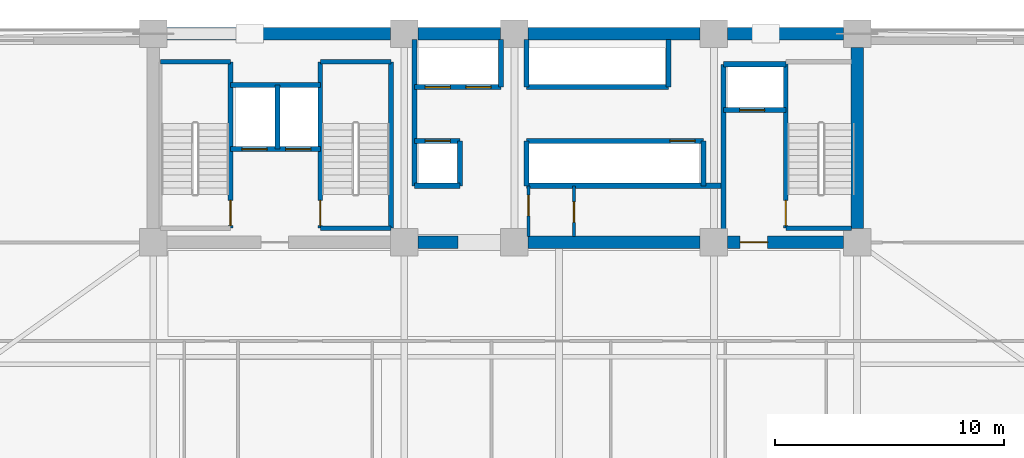
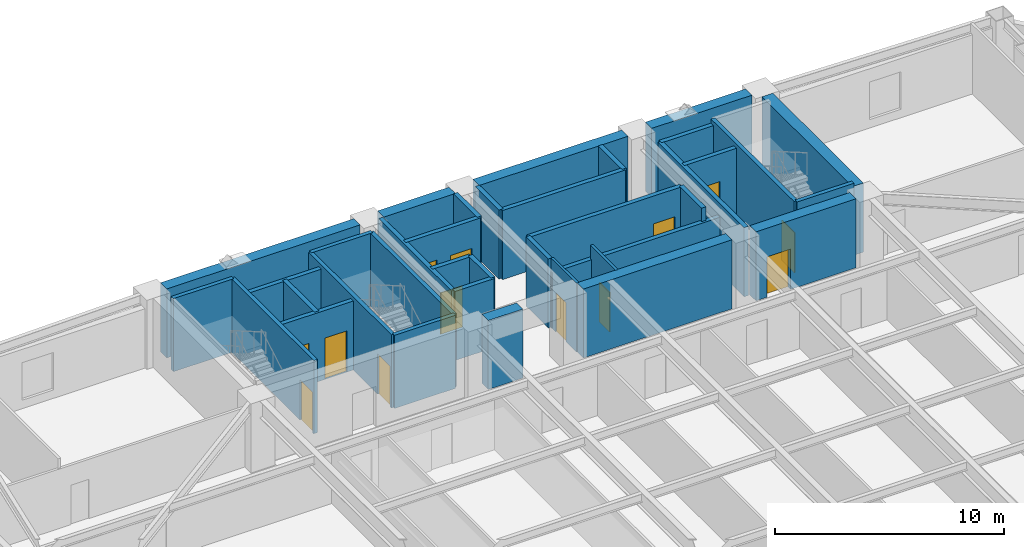
# One storey, part 9 of 15: 37 walls, 13 doors, 13 openings.
"""IFC4 building model written with IfcOpenShell, lengths in metres."""

from ifc_helpers import new_model, si_unit, direction, frame, frame_2d, origin, place, context, subcontext, project, spatial, rectangle, extrude, source, transform, mapped, material, layer, layer_set, type_object, element, fill, save


model = new_model("IFC4")

# Units and contexts
model_context = context("Model", 3, precision=1e-05, world=origin(), true_north=direction((0.0, 1.0)))
body_context = subcontext(model_context, "Body", "Model", "MODEL_VIEW")
ifc_project = project(units=[si_unit("LENGTHUNIT", "METRE"), si_unit("AREAUNIT", "SQUARE_METRE"), si_unit("VOLUMEUNIT", "CUBIC_METRE"), si_unit("PLANEANGLEUNIT", "RADIAN"), si_unit("MASSUNIT", "GRAM", prefix="KILO")], contexts=[model_context])

# Site, building, storey
site_placement = place(None, origin())
site = spatial("IfcSite", under=ifc_project, at=site_placement, CompositionType="ELEMENT")
building_placement = place(site_placement, origin())
building = spatial("IfcBuilding", under=site, at=building_placement, Name="Giltprow Tower", CompositionType="ELEMENT")
storey_placement = place(building_placement, frame((0.0, 0.0, 123.10009765625)))
storey = spatial("IfcBuildingStorey", under=building, at=storey_placement, Name="L30", CompositionType="ELEMENT", Elevation=123.10009765625)

# Wall, openings, doors
ifc_material_1 = material(Name="Concrete C40", Category="concrete")
ifc_layer_1 = layer(ifc_material_1, 0.219970703125, Name="Concrete C40")
ifc_layer_set_1 = layer_set([ifc_layer_1], Name="Concrete C40")
wall_type_1 = type_object("IfcWallType", Name="IW-SHAFT-220", PredefinedType="SOLIDWALL", material=ifc_layer_set_1)
wall_1_placement = place(storey_placement, frame((23.219970703125, 41.52001953125, 0.0), z_axis=(0.0, 0.0, 1.0), x_axis=(1.0, 0.0, 0.0)))
wall_1 = element("IfcWall", 1, at=wall_1_placement, inside=storey, type_object=wall_type_1, Name="L30 FFL1 and Service Lift Front Wall", PredefinedType="SOLIDWALL", context=body_context, shape_type="SweptSolid", body=[
    extrude(rectangle(XDim=3.919921875, YDim=0.219970703125, at=frame_2d((1.9599609375, 0.0))), origin(), (0.0, 0.0, 1.0), 3.679931640625),
])
opening_1_placement = place(wall_1_placement, frame((0.5, 0.0, 0.0)))
opening_1 = element("IfcOpeningElement", 2, at=opening_1_placement, cuts=wall_1, Name="Opening LD-11", PredefinedType="OPENING", context=body_context, shape_type="SweptSolid", body=[
    extrude(rectangle(XDim=1.10009765625, YDim=2.199951171875, at=frame_2d((0.550048828125, 1.10009765625))), frame((0.0, 0.119873046875, 0.0), z_axis=(0.0, -1.0, 0.0), x_axis=(1.0, 0.0, 0.0)), (0.0, 0.0, 1.0), 0.239990234375),
])
opening_2_placement = place(wall_1_placement, frame((2.39990234375, 0.0, 0.0)))
opening_2 = element("IfcOpeningElement", 3, at=opening_2_placement, cuts=wall_1, Name="Opening LD-11", PredefinedType="OPENING", context=body_context, shape_type="SweptSolid", body=[
    extrude(rectangle(XDim=1.10009765625, YDim=2.199951171875, at=frame_2d((0.550048828125, 1.10009765625))), frame((0.0, 0.119873046875, 0.0), z_axis=(0.0, -1.0, 0.0), x_axis=(1.0, 0.0, 0.0)), (0.0, 0.0, 1.0), 0.239990234375),
])
ifc_material_2 = material(Name="Stainless steel", Category="steel")
door_type_1 = type_object("IfcDoorType", Name="DR-LIFT-LD1100", OperationType="SLIDING_TO_LEFT", PredefinedType="DOOR", material=ifc_material_2)
shared_shape_1 = source(origin(), body_context, "Body", "SweptSolid", [
    extrude(rectangle(XDim=1.10009765625, YDim=2.199951171875, at=frame_2d((0.550048828125, 1.10009765625))), frame((0.0, 0.02490234375, 0.0), z_axis=(0.0, -1.0, 0.0), x_axis=(1.0, 0.0, 0.0)), (0.0, 0.0, 1.0), 0.050048828125),
])
door_1_placement = place(opening_1_placement, origin())
door_1 = element("IfcDoor", 4, at=door_1_placement, inside=storey, type_object=door_type_1, Name="L30 FFL1 Landing Door", OperationType="SLIDING_TO_LEFT", OverallHeight=2.199951171875, OverallWidth=1.10009765625, PredefinedType="DOOR", context=body_context, shape_type="MappedRepresentation", body=[
    mapped(shared_shape_1, transform((0.0, 0.0, 0.0), x_axis=(1.0, 0.0, 0.0), y_axis=(0.0, 1.0, 0.0), z_axis=(0.0, 0.0, 1.0), scale=1.0)),
])
fill(opening_1, door_1)
door_2_placement = place(opening_2_placement, origin())
door_2 = element("IfcDoor", 5, at=door_2_placement, inside=storey, type_object=door_type_1, Name="L30 SVL1 Landing Door", OperationType="SLIDING_TO_LEFT", OverallHeight=2.199951171875, OverallWidth=1.10009765625, PredefinedType="DOOR", context=body_context, shape_type="MappedRepresentation", body=[
    mapped(shared_shape_1, transform((0.0, 0.0, 0.0), x_axis=(1.0, 0.0, 0.0), y_axis=(0.0, 1.0, 0.0), z_axis=(0.0, 0.0, 1.0), scale=1.0)),
])
fill(opening_2, door_2)

# Walls
wall_2_placement = place(storey_placement, frame((25.260009765625, 41.52001953125, 0.0), z_axis=(0.0, 0.0, 1.0), x_axis=(0.0, 1.0, 0.0)))
element("IfcWall", 6, at=wall_2_placement, inside=storey, type_object=wall_type_1, Name="L30 FFL1-SVL1 Shaft Divider", PredefinedType="SOLIDWALL", context=body_context, shape_type="SweptSolid", body=[
    extrude(rectangle(XDim=2.800048828125, YDim=0.219970703125, at=frame_2d((1.39990234375, 0.0))), origin(), (0.0, 0.0, 1.0), 3.679931640625),
])
wall_3_placement = place(storey_placement, frame((23.219970703125, 44.320068359375, 0.0), z_axis=(0.0, 0.0, 1.0), x_axis=(1.0, 0.0, 0.0)))
element("IfcWall", 7, at=wall_3_placement, inside=storey, type_object=wall_type_1, Name="L30 FFL1-SVL1 Back Shaft Wall", PredefinedType="SOLIDWALL", context=body_context, shape_type="SweptSolid", body=[
    extrude(rectangle(XDim=3.919921875, YDim=0.219970703125, at=frame_2d((1.9599609375, 0.0))), origin(), (0.0, 0.0, 1.0), 3.679931640625),
])

# Wall, opening, door
wall_4_placement = place(storey_placement, frame((44.719970703125, 43.219970703125, 0.0), z_axis=(0.0, 0.0, 1.0), x_axis=(1.0, 0.0, 0.0)))
wall_4 = element("IfcWall", 8, at=wall_4_placement, inside=storey, type_object=wall_type_1, Name="L30 FFL2 Front Shaft Wall", PredefinedType="SOLIDWALL", context=body_context, shape_type="SweptSolid", body=[
    extrude(rectangle(XDim=2.719970703125, YDim=0.219970703125, at=frame_2d((1.35986328125, 0.0))), origin(), (0.0, 0.0, 1.0), 3.679931640625),
])
opening_3_placement = place(wall_4_placement, frame((0.699951171875, 0.0, 0.0)))
opening_3 = element("IfcOpeningElement", 9, at=opening_3_placement, cuts=wall_4, Name="Opening LD-11", PredefinedType="OPENING", context=body_context, shape_type="SweptSolid", body=[
    extrude(rectangle(XDim=1.10009765625, YDim=2.199951171875, at=frame_2d((0.550048828125, 1.10009765625))), frame((0.0, 0.119873046875, 0.0), z_axis=(0.0, -1.0, 0.0), x_axis=(1.0, 0.0, 0.0)), (0.0, 0.0, 1.0), 0.239990234375),
])
door_3_placement = place(opening_3_placement, origin())
door_3 = element("IfcDoor", 10, at=door_3_placement, inside=storey, type_object=door_type_1, Name="L30 FFL2 Landing Door", OperationType="SLIDING_TO_LEFT", OverallHeight=2.199951171875, OverallWidth=1.10009765625, PredefinedType="DOOR", context=body_context, shape_type="MappedRepresentation", body=[
    mapped(shared_shape_1, transform((0.0, 0.0, 0.0), x_axis=(1.0, 0.0, 0.0), y_axis=(0.0, 1.0, 0.0), z_axis=(0.0, 0.0, 1.0), scale=1.0)),
])
fill(opening_3, door_3)

# Walls
wall_5_placement = place(storey_placement, frame((44.719970703125, 45.219970703125, 0.0), z_axis=(0.0, 0.0, 1.0), x_axis=(1.0, 0.0, 0.0)))
element("IfcWall", 11, at=wall_5_placement, inside=storey, type_object=wall_type_1, Name="L30 FFL2 Back Shaft Wall", PredefinedType="SOLIDWALL", context=body_context, shape_type="SweptSolid", body=[
    extrude(rectangle(XDim=2.719970703125, YDim=0.219970703125, at=frame_2d((1.35986328125, 0.0))), origin(), (0.0, 0.0, 1.0), 3.679931640625),
])
wall_6_placement = place(storey_placement, frame((44.719970703125, 37.705078125, 0.0), z_axis=(0.0, 0.0, 1.0), x_axis=(0.0, 1.0, 0.0)))
element("IfcWall", 12, at=wall_6_placement, inside=storey, type_object=wall_type_1, Name="L30 East Firefighting Lobby West Wall", PredefinedType="SOLIDWALL", context=body_context, shape_type="SweptSolid", body=[
    extrude(rectangle(XDim=7.514892578125, YDim=0.219970703125, at=frame_2d((3.75732421875, 0.0))), origin(), (0.0, 0.0, 1.0), 3.679931640625),
])

# Wall, openings, doors
wall_7_placement = place(storey_placement, frame((31.25, 44.219970703125, 0.0), z_axis=(0.0, 0.0, 1.0), x_axis=(1.0, 0.0, 0.0)))
wall_7 = element("IfcWall", 13, at=wall_7_placement, inside=storey, type_object=wall_type_1, Name="L30 North West Lift Shaft Front Wall", PredefinedType="SOLIDWALL", context=body_context, shape_type="SweptSolid", body=[
    extrude(rectangle(XDim=3.77001953125, YDim=0.219970703125, at=frame_2d((1.885009765625, 0.0))), origin(), (0.0, 0.0, 1.0), 3.679931640625),
])
opening_4_placement = place(wall_7_placement, frame((0.4599609375, 0.0, 0.0)))
opening_4 = element("IfcOpeningElement", 14, at=opening_4_placement, cuts=wall_7, Name="Opening LD-11", PredefinedType="OPENING", context=body_context, shape_type="SweptSolid", body=[
    extrude(rectangle(XDim=1.10009765625, YDim=2.199951171875, at=frame_2d((0.550048828125, 1.10009765625))), frame((0.0, 0.119873046875, 0.0), z_axis=(0.0, -1.0, 0.0), x_axis=(1.0, 0.0, 0.0)), (0.0, 0.0, 1.0), 0.239990234375),
])
opening_5_placement = place(wall_7_placement, frame((2.239990234375, 0.0, 0.0)))
opening_5 = element("IfcOpeningElement", 15, at=opening_5_placement, cuts=wall_7, Name="Opening LD-11", PredefinedType="OPENING", context=body_context, shape_type="SweptSolid", body=[
    extrude(rectangle(XDim=1.10009765625, YDim=2.199951171875, at=frame_2d((0.550048828125, 1.10009765625))), frame((0.0, 0.119873046875, 0.0), z_axis=(0.0, -1.0, 0.0), x_axis=(1.0, 0.0, 0.0)), (0.0, 0.0, 1.0), 0.239990234375),
])
door_4_placement = place(opening_4_placement, origin())
door_4 = element("IfcDoor", 16, at=door_4_placement, inside=storey, type_object=door_type_1, Name="L30 PL-L1 Landing Door", OperationType="SLIDING_TO_LEFT", OverallHeight=2.199951171875, OverallWidth=1.10009765625, PredefinedType="DOOR", context=body_context, shape_type="MappedRepresentation", body=[
    mapped(shared_shape_1, transform((0.0, 0.0, 0.0), x_axis=(1.0, 0.0, 0.0), y_axis=(0.0, 1.0, 0.0), z_axis=(0.0, 0.0, 1.0), scale=1.0)),
])
fill(opening_4, door_4)
door_5_placement = place(opening_5_placement, origin())
door_5 = element("IfcDoor", 17, at=door_5_placement, inside=storey, type_object=door_type_1, Name="L30 PL-L2 Landing Door", OperationType="SLIDING_TO_LEFT", OverallHeight=2.199951171875, OverallWidth=1.10009765625, PredefinedType="DOOR", context=body_context, shape_type="MappedRepresentation", body=[
    mapped(shared_shape_1, transform((0.0, 0.0, 0.0), x_axis=(1.0, 0.0, 0.0), y_axis=(0.0, 1.0, 0.0), z_axis=(0.0, 0.0, 1.0), scale=1.0)),
])
fill(opening_5, door_5)

# Walls
wall_8_placement = place(storey_placement, frame((36.1201171875, 44.219970703125, 0.0), z_axis=(0.0, 0.0, 1.0), x_axis=(1.0, 0.0, 0.0)))
element("IfcWall", 18, at=wall_8_placement, inside=storey, type_object=wall_type_1, Name="L30 North East Lift Shaft Front Wall", PredefinedType="SOLIDWALL", context=body_context, shape_type="SweptSolid", body=[
    extrude(rectangle(XDim=6.199951171875, YDim=0.219970703125, at=frame_2d((3.10009765625, 0.0))), origin(), (0.0, 0.0, 1.0), 3.679931640625),
])
for number, where, z_axis, x_axis, name in (
    (19, (35.02001953125, 44.219970703125, 0.0), (0.0, 0.0, 1.0), (0.0, 1.0, 0.0), "L30 North West Lift Shaft East Closure"),
    (20, (36.1201171875, 44.219970703125, 0.0), (0.0, 0.0, 1.0), (0.0, 1.0, 0.0), "L30 North East Lift Shaft West Closure"),
    (21, (42.320068359375, 44.219970703125, 0.0), (0.0, 0.0, 1.0), (0.0, 1.0, 0.0), "L30 North East Lift Shaft East Closure"),
):
    element("IfcWall", number, at=place(storey_placement, frame(where, z_axis=z_axis, x_axis=x_axis)), inside=storey, type_object=wall_type_1, Name=name, PredefinedType="SOLIDWALL", context=body_context, shape_type="SweptSolid", body=[
        extrude(rectangle(XDim=2.074951171875, YDim=0.219970703125, at=frame_2d((1.03759765625, 0.0))), origin(), (0.0, 0.0, 1.0), 3.679931640625),
    ])

# Wall, opening, door
wall_9_placement = place(storey_placement, frame((31.25, 41.8798828125, 0.0), z_axis=(0.0, 0.0, 1.0), x_axis=(1.0, 0.0, 0.0)))
wall_9 = element("IfcWall", 22, at=wall_9_placement, inside=storey, type_object=wall_type_1, Name="L30 South West Lift Shaft Front Wall", PredefinedType="SOLIDWALL", context=body_context, shape_type="SweptSolid", body=[
    extrude(rectangle(XDim=1.969970703125, YDim=0.219970703125, at=frame_2d((0.98486328125, 0.0))), origin(), (0.0, 0.0, 1.0), 3.679931640625),
])
opening_6_placement = place(wall_9_placement, frame((0.4599609375, 0.0, 0.0)))
opening_6 = element("IfcOpeningElement", 23, at=opening_6_placement, cuts=wall_9, Name="Opening LD-11", PredefinedType="OPENING", context=body_context, shape_type="SweptSolid", body=[
    extrude(rectangle(XDim=1.10009765625, YDim=2.199951171875, at=frame_2d((0.550048828125, 1.10009765625))), frame((0.0, 0.119873046875, 0.0), z_axis=(0.0, -1.0, 0.0), x_axis=(1.0, 0.0, 0.0)), (0.0, 0.0, 1.0), 0.239990234375),
])
door_6_placement = place(opening_6_placement, origin())
door_6 = element("IfcDoor", 24, at=door_6_placement, inside=storey, type_object=door_type_1, Name="L30 PL-L3 Landing Door", OperationType="SLIDING_TO_LEFT", OverallHeight=2.199951171875, OverallWidth=1.10009765625, PredefinedType="DOOR", context=body_context, shape_type="MappedRepresentation", body=[
    mapped(shared_shape_1, transform((0.0, 0.0, 0.0), x_axis=(1.0, 0.0, 0.0), y_axis=(0.0, 1.0, 0.0), z_axis=(0.0, 0.0, 1.0), scale=1.0)),
])
fill(opening_6, door_6)

wall_10_placement = place(storey_placement, frame((36.1201171875, 41.8798828125, 0.0), z_axis=(0.0, 0.0, 1.0), x_axis=(1.0, 0.0, 0.0)))
wall_10 = element("IfcWall", 25, at=wall_10_placement, inside=storey, type_object=wall_type_1, Name="L30 South East Lift Shaft Front Wall", PredefinedType="SOLIDWALL", context=body_context, shape_type="SweptSolid", body=[
    extrude(rectangle(XDim=7.72998046875, YDim=0.219970703125, at=frame_2d((3.864990234375, 0.0))), origin(), (0.0, 0.0, 1.0), 3.679931640625),
])
opening_7_placement = place(wall_10_placement, frame((6.260009765625, 0.0, 0.0)))
opening_7 = element("IfcOpeningElement", 26, at=opening_7_placement, cuts=wall_10, Name="Opening LD-11", PredefinedType="OPENING", context=body_context, shape_type="SweptSolid", body=[
    extrude(rectangle(XDim=1.10009765625, YDim=2.199951171875, at=frame_2d((0.550048828125, 1.10009765625))), frame((0.0, 0.119873046875, 0.0), z_axis=(0.0, -1.0, 0.0), x_axis=(1.0, 0.0, 0.0)), (0.0, 0.0, 1.0), 0.239990234375),
])
door_7_placement = place(opening_7_placement, origin())
door_7 = element("IfcDoor", 27, at=door_7_placement, inside=storey, type_object=door_type_1, Name="L30 PL-L4 Landing Door", OperationType="SLIDING_TO_LEFT", OverallHeight=2.199951171875, OverallWidth=1.10009765625, PredefinedType="DOOR", context=body_context, shape_type="MappedRepresentation", body=[
    mapped(shared_shape_1, transform((0.0, 0.0, 0.0), x_axis=(1.0, 0.0, 0.0), y_axis=(0.0, 1.0, 0.0), z_axis=(0.0, 0.0, 1.0), scale=1.0)),
])
fill(opening_7, door_7)

# Walls
wall_11_placement = place(storey_placement, frame((31.25, 39.919921875, 0.0), z_axis=(0.0, 0.0, 1.0), x_axis=(1.0, 0.0, 0.0)))
element("IfcWall", 28, at=wall_11_placement, inside=storey, type_object=wall_type_1, Name="L30 Low-Rise South Lift Back Wall", PredefinedType="SOLIDWALL", context=body_context, shape_type="SweptSolid", body=[
    extrude(rectangle(XDim=1.969970703125, YDim=0.219970703125, at=frame_2d((0.98486328125, 0.0))), origin(), (0.0, 0.0, 1.0), 3.679931640625),
])
wall_12_placement = place(storey_placement, frame((33.219970703125, 39.919921875, 0.0), z_axis=(0.0, 0.0, 1.0), x_axis=(0.0, 1.0, 0.0)))
element("IfcWall", 29, at=wall_12_placement, inside=storey, type_object=wall_type_1, Name="L30 Low-Rise South Lift East Closure", PredefinedType="SOLIDWALL", context=body_context, shape_type="SweptSolid", body=[
    extrude(rectangle(XDim=1.9599609375, YDim=0.219970703125, at=frame_2d((0.97998046875, 0.0))), origin(), (0.0, 0.0, 1.0), 3.679931640625),
])
wall_13_placement = place(storey_placement, frame((36.1201171875, 39.919921875, 0.0), z_axis=(0.0, 0.0, 1.0), x_axis=(1.0, 0.0, 0.0)))
element("IfcWall", 30, at=wall_13_placement, inside=storey, type_object=wall_type_1, Name="L30 Express South Shaft Back Wall", PredefinedType="SOLIDWALL", context=body_context, shape_type="SweptSolid", body=[
    extrude(rectangle(XDim=8.599853515625, YDim=0.219970703125, at=frame_2d((4.2998046875, 0.0))), origin(), (0.0, 0.0, 1.0), 2.96484375),
])
wall_14_placement = place(storey_placement, frame((36.1201171875, 39.919921875, 0.0), z_axis=(0.0, 0.0, 1.0), x_axis=(0.0, 1.0, 0.0)))
element("IfcWall", 31, at=wall_14_placement, inside=storey, type_object=wall_type_1, Name="L30 Express South Shaft West Closure", PredefinedType="SOLIDWALL", context=body_context, shape_type="SweptSolid", body=[
    extrude(rectangle(XDim=1.9599609375, YDim=0.219970703125, at=frame_2d((0.97998046875, 0.0))), origin(), (0.0, 0.0, 1.0), 3.679931640625),
])
wall_15_placement = place(storey_placement, frame((31.25, 39.919921875, 0.0), z_axis=(0.0, 0.0, 1.0), x_axis=(0.0, 1.0, 0.0)))
element("IfcWall", 32, at=wall_15_placement, inside=storey, type_object=wall_type_1, Name="L30 Lift Bank West Closure", PredefinedType="SOLIDWALL", context=body_context, shape_type="SweptSolid", body=[
    extrude(rectangle(XDim=6.375, YDim=0.219970703125, at=frame_2d((3.1875, 0.0))), origin(), (0.0, 0.0, 1.0), 3.679931640625),
])
wall_16_placement = place(storey_placement, frame((43.85009765625, 39.919921875, 0.0), z_axis=(0.0, 0.0, 1.0), x_axis=(0.0, 1.0, 0.0)))
element("IfcWall", 33, at=wall_16_placement, inside=storey, type_object=wall_type_1, Name="L30 Lift Bank South-East Closure", PredefinedType="SOLIDWALL", context=body_context, shape_type="SweptSolid", body=[
    extrude(rectangle(XDim=1.9599609375, YDim=0.219970703125, at=frame_2d((0.97998046875, 0.0))), origin(), (0.0, 0.0, 1.0), 3.679931640625),
])

# Wall, opening, door
ifc_layer_2 = layer(ifc_material_1, 0.199951171875, Name="Concrete C40")
ifc_layer_set_2 = layer_set([ifc_layer_2], Name="Concrete C40")
wall_type_2 = type_object("IfcWallType", Name="IW-STAIR-200", PredefinedType="SOLIDWALL", material=ifc_layer_set_2)
wall_17_placement = place(storey_placement, frame((23.219970703125, 38.070068359375, 0.0), z_axis=(0.0, 0.0, 1.0), x_axis=(0.0, 1.0, 0.0)))
wall_17 = element("IfcWall", 34, at=wall_17_placement, inside=storey, type_object=wall_type_2, Name="L30 Stair ST-1 East Bearing Wall", PredefinedType="SOLIDWALL", context=body_context, shape_type="SweptSolid", body=[
    extrude(rectangle(XDim=7.25, YDim=0.199951171875, at=frame_2d((3.625, 0.0))), origin(), (0.0, 0.0, 1.0), 3.89990234375),
])
opening_8_placement = place(wall_17_placement, frame((0.110107421875, 0.0, 0.0)))
opening_8 = element("IfcOpeningElement", 35, at=opening_8_placement, cuts=wall_17, Name="Opening ID33", PredefinedType="OPENING", context=body_context, shape_type="SweptSolid", body=[
    extrude(rectangle(XDim=1.10009765625, YDim=2.14990234375, at=frame_2d((0.550048828125, 1.074951171875))), frame((0.0, 0.10986328125, 0.0), z_axis=(0.0, -1.0, 0.0), x_axis=(1.0, 0.0, 0.0)), (0.0, 0.0, 1.0), 0.219970703125),
])
ifc_material_3 = material(Name="Steel fire leaf", Category="steel")
door_type_2 = type_object("IfcDoorType", Name="DR-STAIR-1100", OperationType="SINGLE_SWING_LEFT", PredefinedType="DOOR", material=ifc_material_3)
shared_shape_2 = source(origin(), body_context, "Body", "SweptSolid", [
    extrude(rectangle(XDim=1.10009765625, YDim=2.14990234375, at=frame_2d((0.550048828125, 1.074951171875))), frame((0.0, 0.02490234375, 0.0), z_axis=(0.0, -1.0, 0.0), x_axis=(1.0, 0.0, 0.0)), (0.0, 0.0, 1.0), 0.050048828125),
])
door_8_placement = place(opening_8_placement, origin())
door_8 = element("IfcDoor", 36, at=door_8_placement, inside=storey, type_object=door_type_2, Name="L30 Stair ST-1 Fire Door", OperationType="SINGLE_SWING_LEFT", OverallHeight=2.14990234375, OverallWidth=1.10009765625, PredefinedType="DOOR", context=body_context, shape_type="MappedRepresentation", body=[
    mapped(shared_shape_2, transform((0.0, 0.0, 0.0), x_axis=(1.0, 0.0, 0.0), y_axis=(0.0, 1.0, 0.0), z_axis=(0.0, 0.0, 1.0), scale=1.0)),
])
fill(opening_8, door_8)

# Wall
wall_18_placement = place(storey_placement, frame((20.169921875, 45.320068359375, 0.0), z_axis=(0.0, 0.0, 1.0), x_axis=(1.0, 0.0, 0.0)))
element("IfcWall", 37, at=wall_18_placement, inside=storey, type_object=wall_type_2, Name="L30 Stair ST-1 North Bearing Wall", PredefinedType="SOLIDWALL", context=body_context, shape_type="SweptSolid", body=[
    extrude(rectangle(XDim=3.050048828125, YDim=0.199951171875, at=frame_2d((1.52490234375, 0.0))), origin(), (0.0, 0.0, 1.0), 3.89990234375),
])

# Wall, opening, door
wall_19_placement = place(storey_placement, frame((27.139892578125, 38.070068359375, 0.0), z_axis=(0.0, 0.0, 1.0), x_axis=(0.0, 1.0, 0.0)))
wall_19 = element("IfcWall", 38, at=wall_19_placement, inside=storey, type_object=wall_type_2, Name="L30 Stair ST-2 West Bearing Wall", PredefinedType="SOLIDWALL", context=body_context, shape_type="SweptSolid", body=[
    extrude(rectangle(XDim=7.25, YDim=0.199951171875, at=frame_2d((3.625, 0.0))), origin(), (0.0, 0.0, 1.0), 3.89990234375),
])
opening_9_placement = place(wall_19_placement, frame((0.110107421875, 0.0, 0.0)))
opening_9 = element("IfcOpeningElement", 39, at=opening_9_placement, cuts=wall_19, Name="Opening ID33", PredefinedType="OPENING", context=body_context, shape_type="SweptSolid", body=[
    extrude(rectangle(XDim=1.10009765625, YDim=2.14990234375, at=frame_2d((0.550048828125, 1.074951171875))), frame((0.0, 0.10986328125, 0.0), z_axis=(0.0, -1.0, 0.0), x_axis=(1.0, 0.0, 0.0)), (0.0, 0.0, 1.0), 0.219970703125),
])
door_9_placement = place(opening_9_placement, origin())
door_9 = element("IfcDoor", 40, at=door_9_placement, inside=storey, type_object=door_type_2, Name="L30 Stair ST-2 Fire Door", OperationType="SINGLE_SWING_RIGHT", OverallHeight=2.14990234375, OverallWidth=1.10009765625, PredefinedType="DOOR", context=body_context, shape_type="MappedRepresentation", body=[
    mapped(shared_shape_2, transform((0.0, 0.0, 0.0), x_axis=(1.0, 0.0, 0.0), y_axis=(0.0, 1.0, 0.0), z_axis=(0.0, 0.0, 1.0), scale=1.0)),
])
fill(opening_9, door_9)

# Walls
wall_20_placement = place(storey_placement, frame((30.219970703125, 38.070068359375, 0.0), z_axis=(0.0, 0.0, 1.0), x_axis=(0.0, 1.0, 0.0)))
element("IfcWall", 41, at=wall_20_placement, inside=storey, type_object=wall_type_2, Name="L30 Stair ST-2 East Bearing Wall", PredefinedType="SOLIDWALL", context=body_context, shape_type="SweptSolid", body=[
    extrude(rectangle(XDim=7.25, YDim=0.199951171875, at=frame_2d((3.625, 0.0))), origin(), (0.0, 0.0, 1.0), 3.89990234375),
])
for number, where, z_axis, x_axis, name in (
    (42, (27.139892578125, 45.320068359375, 0.0), (0.0, 0.0, 1.0), (1.0, 0.0, 0.0), "L30 Stair ST-2 North Bearing Wall"),
    (43, (27.139892578125, 38.070068359375, 0.0), (0.0, 0.0, 1.0), (1.0, 0.0, 0.0), "L30 Stair ST-2 South Bearing Wall"),
):
    element("IfcWall", number, at=place(storey_placement, frame(where, z_axis=z_axis, x_axis=x_axis)), inside=storey, type_object=wall_type_2, Name=name, PredefinedType="SOLIDWALL", context=body_context, shape_type="SweptSolid", body=[
        extrude(rectangle(XDim=3.080078125, YDim=0.199951171875, at=frame_2d((1.5400390625, 0.0))), origin(), (0.0, 0.0, 1.0), 3.89990234375),
    ])

# Wall, opening, door
wall_21_placement = place(storey_placement, frame((47.43994140625, 38.070068359375, 0.0), z_axis=(0.0, 0.0, 1.0), x_axis=(0.0, 1.0, 0.0)))
wall_21 = element("IfcWall", 44, at=wall_21_placement, inside=storey, type_object=wall_type_2, Name="L30 Stair ST-3 West Bearing Wall", PredefinedType="SOLIDWALL", context=body_context, shape_type="SweptSolid", body=[
    extrude(rectangle(XDim=7.25, YDim=0.199951171875, at=frame_2d((3.625, 0.0))), origin(), (0.0, 0.0, 1.0), 3.89990234375),
])
opening_10_placement = place(wall_21_placement, frame((0.110107421875, 0.0, 0.0)))
opening_10 = element("IfcOpeningElement", 45, at=opening_10_placement, cuts=wall_21, Name="Opening ID33", PredefinedType="OPENING", context=body_context, shape_type="SweptSolid", body=[
    extrude(rectangle(XDim=1.10009765625, YDim=2.14990234375, at=frame_2d((0.550048828125, 1.074951171875))), frame((0.0, 0.10986328125, 0.0), z_axis=(0.0, -1.0, 0.0), x_axis=(1.0, 0.0, 0.0)), (0.0, 0.0, 1.0), 0.219970703125),
])
door_10_placement = place(opening_10_placement, origin())
door_10 = element("IfcDoor", 46, at=door_10_placement, inside=storey, type_object=door_type_2, Name="L30 Stair ST-3 Fire Door", OperationType="SINGLE_SWING_LEFT", OverallHeight=2.14990234375, OverallWidth=1.10009765625, PredefinedType="DOOR", context=body_context, shape_type="MappedRepresentation", body=[
    mapped(shared_shape_2, transform((0.0, 0.0, 0.0), x_axis=(1.0, 0.0, 0.0), y_axis=(0.0, 1.0, 0.0), z_axis=(0.0, 0.0, 1.0), scale=1.0)),
])
fill(opening_10, door_10)

# Wall
wall_22_placement = place(storey_placement, frame((47.43994140625, 38.070068359375, 0.0), z_axis=(0.0, 0.0, 1.0), x_axis=(1.0, 0.0, 0.0)))
element("IfcWall", 47, at=wall_22_placement, inside=storey, type_object=wall_type_2, Name="L30 Stair ST-3 South Bearing Wall", PredefinedType="SOLIDWALL", context=body_context, shape_type="SweptSolid", body=[
    extrude(rectangle(XDim=2.85498046875, YDim=0.199951171875, at=frame_2d((1.427490234375, 0.0))), origin(), (0.0, 0.0, 1.0), 3.89990234375),
])

# Wall, opening, door
ifc_material_4 = material(Name="Concrete C30", Category="concrete")
ifc_layer_3 = layer(ifc_material_4, 0.1298828125, Name="Concrete C30")
ifc_layer_set_3 = layer_set([ifc_layer_3], Name="Concrete C30")
wall_type_3 = type_object("IfcWallType", Name="IW-WET-130", PredefinedType="PARTITIONING", material=ifc_layer_set_3)
wall_23_placement = place(storey_placement, frame((36.219970703125, 37.705078125, 0.0), z_axis=(0.0, 0.0, 1.0), x_axis=(0.0, 1.0, 0.0)))
wall_23 = element("IfcWall", 48, at=wall_23_placement, inside=storey, type_object=wall_type_3, Name="L30 Core Suite West Wall", PredefinedType="PARTITIONING", context=body_context, shape_type="SweptSolid", body=[
    extrude(rectangle(XDim=2.21484375, YDim=0.1298828125, at=frame_2d((1.107421875, 0.0))), origin(), (0.0, 0.0, 1.0), 3.679931640625),
])
opening_11_placement = place(wall_23_placement, frame((0.905029296875, 0.0, 0.0)))
opening_11 = element("IfcOpeningElement", 49, at=opening_11_placement, cuts=wall_23, Name="Opening ID35", PredefinedType="OPENING", context=body_context, shape_type="SweptSolid", body=[
    extrude(rectangle(XDim=0.89990234375, YDim=2.10009765625, at=frame_2d((0.449951171875, 1.050048828125))), frame((0.0, 0.074951171875, 0.0), z_axis=(0.0, -1.0, 0.0), x_axis=(1.0, 0.0, 0.0)), (0.0, 0.0, 1.0), 0.14990234375),
])
door_type_3 = type_object("IfcDoorType", Name="DR-SHAFT-900", OperationType="SINGLE_SWING_LEFT", PredefinedType="DOOR", material=ifc_material_3)
shared_shape_3 = source(origin(), body_context, "Body", "SweptSolid", [
    extrude(rectangle(XDim=0.89990234375, YDim=2.10009765625, at=frame_2d((0.449951171875, 1.050048828125))), frame((0.0, 0.02490234375, 0.0), z_axis=(0.0, -1.0, 0.0), x_axis=(1.0, 0.0, 0.0)), (0.0, 0.0, 1.0), 0.050048828125),
])
door_11_placement = place(opening_11_placement, origin())
door_11 = element("IfcDoor", 50, at=door_11_placement, inside=storey, type_object=door_type_3, Name="L30 Core Accessible WC Door", OperationType="SINGLE_SWING_RIGHT", OverallHeight=2.10009765625, OverallWidth=0.89990234375, PredefinedType="DOOR", context=body_context, shape_type="MappedRepresentation", body=[
    mapped(shared_shape_3, transform((0.0, 0.0, 0.0), x_axis=(1.0, 0.0, 0.0), y_axis=(0.0, 1.0, 0.0), z_axis=(0.0, 0.0, 1.0), scale=1.0)),
])
fill(opening_11, door_11)

wall_24_placement = place(storey_placement, frame((38.199951171875, 37.705078125, 0.0), z_axis=(0.0, 0.0, 1.0), x_axis=(0.0, 1.0, 0.0)))
wall_24 = element("IfcWall", 51, at=wall_24_placement, inside=storey, type_object=wall_type_3, Name="L30 Core Suite Asymmetric Wall", PredefinedType="PARTITIONING", context=body_context, shape_type="SweptSolid", body=[
    extrude(rectangle(XDim=2.21484375, YDim=0.1298828125, at=frame_2d((1.107421875, 0.0))), origin(), (0.0, 0.0, 1.0), 3.679931640625),
])
opening_12_placement = place(wall_24_placement, frame((0.614990234375, 0.0, 0.0)))
opening_12 = element("IfcOpeningElement", 52, at=opening_12_placement, cuts=wall_24, Name="Opening ID35", PredefinedType="OPENING", context=body_context, shape_type="SweptSolid", body=[
    extrude(rectangle(XDim=0.89990234375, YDim=2.10009765625, at=frame_2d((0.449951171875, 1.050048828125))), frame((0.0, 0.074951171875, 0.0), z_axis=(0.0, -1.0, 0.0), x_axis=(1.0, 0.0, 0.0)), (0.0, 0.0, 1.0), 0.14990234375),
])
door_12_placement = place(opening_12_placement, origin())
door_12 = element("IfcDoor", 53, at=door_12_placement, inside=storey, type_object=door_type_3, Name="L30 Core Mail Room Door", OperationType="SINGLE_SWING_LEFT", OverallHeight=2.10009765625, OverallWidth=0.89990234375, PredefinedType="DOOR", context=body_context, shape_type="MappedRepresentation", body=[
    mapped(shared_shape_3, transform((0.0, 0.0, 0.0), x_axis=(1.0, 0.0, 0.0), y_axis=(0.0, 1.0, 0.0), z_axis=(0.0, 0.0, 1.0), scale=1.0)),
])
fill(opening_12, door_12)

# Walls
ifc_material_5 = material(Name="Concrete C60", Category="concrete")
ifc_layer_4 = layer(ifc_material_5, 0.550048828125, Name="Concrete C60")
ifc_layer_set_4 = layer_set([ifc_layer_4], Name="Concrete C60")
wall_type_4 = type_object("IfcWallType", Name="SW-EXT-550-C60", PredefinedType="SHEAR", material=ifc_layer_set_4)
wall_25_placement = place(storey_placement, frame((20.449951171875, 46.550048828125, 0.0), z_axis=(0.0, 0.0, 1.0), x_axis=(1.0, 0.0, 0.0)))
element("IfcWall", 54, at=wall_25_placement, inside=storey, type_object=wall_type_4, Name="L30 North Rear Core Shear Wall 1", PredefinedType="SHEAR", context=body_context, shape_type="SweptSolid", body=[
    extrude(rectangle(XDim=9.75, YDim=0.550048828125, at=frame_2d((4.875, 0.0))), origin(), (0.0, 0.0, 1.0), 3.679931640625),
])
wall_26_placement = place(storey_placement, frame((31.39990234375, 46.550048828125, 0.0), z_axis=(0.0, 0.0, 1.0), x_axis=(1.0, 0.0, 0.0)))
element("IfcWall", 55, at=wall_26_placement, inside=storey, type_object=wall_type_4, Name="L30 North Rear Core Shear Wall 2", PredefinedType="SHEAR", context=body_context, shape_type="SweptSolid", body=[
    extrude(rectangle(XDim=3.60009765625, YDim=0.550048828125, at=frame_2d((1.800048828125, 0.0))), origin(), (0.0, 0.0, 1.0), 3.679931640625),
])
wall_27_placement = place(storey_placement, frame((36.199951171875, 46.550048828125, 0.0), z_axis=(0.0, 0.0, 1.0), x_axis=(1.0, 0.0, 0.0)))
element("IfcWall", 56, at=wall_27_placement, inside=storey, type_object=wall_type_4, Name="L30 North Rear Core Shear Wall 3", PredefinedType="SHEAR", context=body_context, shape_type="SweptSolid", body=[
    extrude(rectangle(XDim=7.5, YDim=0.550048828125, at=frame_2d((3.75, 0.0))), origin(), (0.0, 0.0, 1.0), 3.679931640625),
])
wall_28_placement = place(storey_placement, frame((44.89990234375, 46.550048828125, 0.0), z_axis=(0.0, 0.0, 1.0), x_axis=(1.0, 0.0, 0.0)))
element("IfcWall", 57, at=wall_28_placement, inside=storey, type_object=wall_type_4, Name="L30 North Rear Core Shear Wall 4", PredefinedType="SHEAR", context=body_context, shape_type="SweptSolid", body=[
    extrude(rectangle(XDim=5.050048828125, YDim=0.550048828125, at=frame_2d((2.52490234375, 0.0))), origin(), (0.0, 0.0, 1.0), 3.679931640625),
])
ifc_layer_5 = layer(ifc_material_5, 0.550048828125, Name="Concrete C60")
ifc_layer_set_5 = layer_set([ifc_layer_5], Name="Concrete C60")
wall_type_5 = type_object("IfcWallType", Name="SW-INT-550-C60", PredefinedType="SHEAR", material=ifc_layer_set_5)
wall_29_placement = place(storey_placement, frame((31.39990234375, 37.449951171875, 0.0), z_axis=(0.0, 0.0, 1.0), x_axis=(1.0, 0.0, 0.0)))
element("IfcWall", 58, at=wall_29_placement, inside=storey, type_object=wall_type_5, Name="L30 South Rear Core Shear Wall Mid-West", PredefinedType="SHEAR", context=body_context, shape_type="SweptSolid", body=[
    extrude(rectangle(XDim=1.75, YDim=0.550048828125, at=frame_2d((0.875, 0.0))), origin(), (0.0, 0.0, 1.0), 3.679931640625),
])
wall_30_placement = place(storey_placement, frame((36.199951171875, 37.449951171875, 0.0), z_axis=(0.0, 0.0, 1.0), x_axis=(1.0, 0.0, 0.0)))
element("IfcWall", 59, at=wall_30_placement, inside=storey, type_object=wall_type_5, Name="L30 South Rear Core Shear Wall Mid-East", PredefinedType="SHEAR", context=body_context, shape_type="SweptSolid", body=[
    extrude(rectangle(XDim=7.5, YDim=0.550048828125, at=frame_2d((3.75, 0.0))), origin(), (0.0, 0.0, 1.0), 3.679931640625),
])

# Wall, opening, door
wall_31_placement = place(storey_placement, frame((44.89990234375, 37.449951171875, 0.0), z_axis=(0.0, 0.0, 1.0), x_axis=(1.0, 0.0, 0.0)))
wall_31 = element("IfcWall", 60, at=wall_31_placement, inside=storey, type_object=wall_type_5, Name="L30 South Rear Core Shear Wall East", PredefinedType="SHEAR", context=body_context, shape_type="SweptSolid", body=[
    extrude(rectangle(XDim=5.050048828125, YDim=0.550048828125, at=frame_2d((2.52490234375, 0.0))), origin(), (0.0, 0.0, 1.0), 3.679931640625),
])
opening_13_placement = place(wall_31_placement, frame((0.550048828125, 0.0, 0.0)))
opening_13 = element("IfcOpeningElement", 61, at=opening_13_placement, cuts=wall_31, Name="Opening ID19", PredefinedType="OPENING", context=body_context, shape_type="SweptSolid", body=[
    extrude(rectangle(XDim=1.199951171875, YDim=2.14990234375, at=frame_2d((0.60009765625, 1.074951171875))), frame((0.0, 0.284912109375, 0.0), z_axis=(0.0, -1.0, 0.0), x_axis=(1.0, 0.0, 0.0)), (0.0, 0.0, 1.0), 0.570068359375),
])
door_type_4 = type_object("IfcDoorType", Name="DR-FFLOBBY-1200", OperationType="SINGLE_SWING_RIGHT", PredefinedType="DOOR", material=ifc_material_3)
shared_shape_4 = source(origin(), body_context, "Body", "SweptSolid", [
    extrude(rectangle(XDim=1.199951171875, YDim=2.14990234375, at=frame_2d((0.60009765625, 1.074951171875))), frame((0.0, 0.02490234375, 0.0), z_axis=(0.0, -1.0, 0.0), x_axis=(1.0, 0.0, 0.0)), (0.0, 0.0, 1.0), 0.050048828125),
])
door_13_placement = place(opening_13_placement, origin())
door_13 = element("IfcDoor", 62, at=door_13_placement, inside=storey, type_object=door_type_4, Name="L30 East Firefighting Lobby Entry Door", OperationType="SINGLE_SWING_RIGHT", OverallHeight=2.14990234375, OverallWidth=1.199951171875, PredefinedType="DOOR", context=body_context, shape_type="MappedRepresentation", body=[
    mapped(shared_shape_4, transform((0.0, 0.0, 0.0), x_axis=(1.0, 0.0, 0.0), y_axis=(0.0, 1.0, 0.0), z_axis=(0.0, 0.0, 1.0), scale=1.0)),
])
fill(opening_13, door_13)

# Wall
wall_32_placement = place(storey_placement, frame((50.550048828125, 38.050048828125, 0.0), z_axis=(0.0, 0.0, 1.0), x_axis=(0.0, 1.0, 0.0)))
element("IfcWall", 63, at=wall_32_placement, inside=storey, type_object=wall_type_5, Name="L30 E Rear Core Shear Wall", PredefinedType="SHEAR", context=body_context, shape_type="SweptSolid", body=[
    extrude(rectangle(XDim=7.89990234375, YDim=0.550048828125, at=frame_2d((3.949951171875, 0.0))), origin(), (0.0, 0.0, 1.0), 3.679931640625),
])

save(model, "model.ifc")
